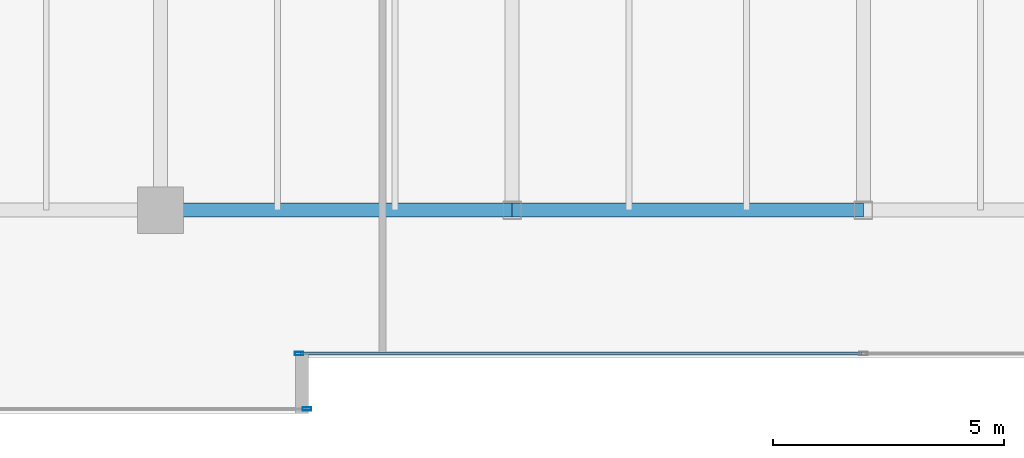
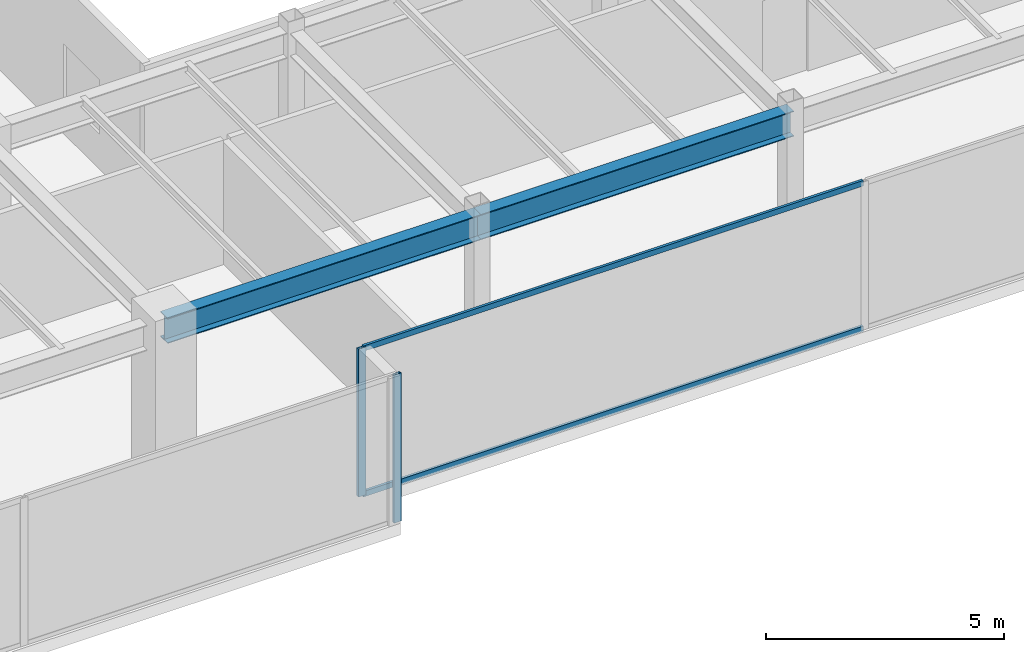
# One storey, part 7 of 33: 4 members, 2 beams, 2 elements without a shape of their own.
"""IFC4 building model written with IfcOpenShell, lengths in metres."""

from ifc_helpers import new_model, si_unit, direction, frame, origin, origin_2d, place, context, subcontext, project, spatial, hollow_rectangle, i_section, extrude, source, transform, mapped, material, layer, layer_set, material_profile, profile_set, type_object, type_shapes, element, aggregate, save


model = new_model("IFC4")

# Units and contexts
model_context = context("Model", 3, precision=1e-05, world=origin(), true_north=direction((0.0, 1.0)))
body_context = subcontext(model_context, "Body", "Model", "MODEL_VIEW")
ifc_project = project(units=[si_unit("LENGTHUNIT", "METRE"), si_unit("AREAUNIT", "SQUARE_METRE"), si_unit("VOLUMEUNIT", "CUBIC_METRE"), si_unit("PLANEANGLEUNIT", "RADIAN"), si_unit("MASSUNIT", "GRAM", prefix="KILO")], contexts=[model_context])

# Site, building, storey
site_placement = place(None, origin())
site = spatial("IfcSite", under=ifc_project, at=site_placement, CompositionType="ELEMENT")
building_placement = place(site_placement, origin())
building = spatial("IfcBuilding", under=site, at=building_placement, Name="Haelvirn Gate Laboratories", CompositionType="ELEMENT")
storey_placement = place(building_placement, frame((0.0, 0.0, 275.199951171875)))
storey = spatial("IfcBuildingStorey", under=building, at=storey_placement, Name="L66", CompositionType="ELEMENT", Elevation=275.199951171875)

# Beams
ifc_material_1 = material(Name="Steel SM355", Category="steel")
ifc_material_profile_1 = material_profile(ifc_material_1, i_section(OverallWidth=0.300048828125, OverallDepth=0.64990234375, WebThickness=0.012939453125, FlangeThickness=0.02197265625, at=origin_2d()), Name="H-650x300x13x22")
ifc_profile_set_1 = profile_set([ifc_material_profile_1], Name="Steel SM355")
beam_type = type_object("IfcBeamType", Name="BM-G-650", PredefinedType="BEAM", material=ifc_profile_set_1)
shared_shape_1 = source(origin(), body_context, "Body", "SweptSolid", [
    extrude(i_section(OverallWidth=0.300048828125, OverallDepth=0.64990234375, WebThickness=0.012939453125, FlangeThickness=0.02197265625, at=origin_2d()), origin(), (0.0, 0.0, 1.0), 7.60009765625),
])
beam_1_placement = place(storey_placement, frame((22.199951171875, 7.0, 3.47509765625), z_axis=(1.0, 0.0, 0.0), x_axis=(0.0, 1.0, 0.0)))
element("IfcBeam", 1, at=beam_1_placement, inside=storey, type_object=beam_type, Name="L66 Primary Girder Y7.0 (22.2-29.8)", PredefinedType="BEAM", context=body_context, shape_type="MappedRepresentation", body=[
    mapped(shared_shape_1, transform((0.0, 0.0, 0.0), scale=1.0)),
])
shared_shape_2 = source(origin(), body_context, "Body", "SweptSolid", [
    extrude(i_section(OverallWidth=0.300048828125, OverallDepth=0.64990234375, WebThickness=0.012939453125, FlangeThickness=0.02197265625, at=origin_2d()), origin(), (0.0, 0.0, 1.0), 7.599853515625),
])
type_shapes(beam_type, [shared_shape_1, shared_shape_2])
beam_2_placement = place(storey_placement, frame((29.800048828125, 7.0, 3.47509765625), z_axis=(1.0, 0.0, 0.0), x_axis=(0.0, 1.0, 0.0)))
element("IfcBeam", 2, at=beam_2_placement, inside=storey, type_object=beam_type, Name="L66 Primary Girder Y7.0 (29.8-37.4)", PredefinedType="BEAM", context=body_context, shape_type="MappedRepresentation", body=[
    mapped(shared_shape_2, transform((0.0, 0.0, 0.0), scale=1.0)),
])

# Curtain wall, members
ifc_material_2 = material(Name="Anodised bronze unitised aluminium & triple low-E glass", Category="aluminium")
ifc_layer = layer(ifc_material_2, 0.176025390625, Name="CW-SYS-4")
ifc_layer_set = layer_set([ifc_layer], Name="Anodised bronze unitised aluminium & triple low-E glass")
curtain_wall_type = type_object("IfcCurtainWallType", Name="CW-SYS-4", PredefinedType="NOTDEFINED", material=ifc_layer_set)
curtain_wall_1_placement = place(storey_placement, origin())
curtain_wall_1 = element("IfcCurtainWall", 3, at=curtain_wall_1_placement, inside=storey, type_object=curtain_wall_type, Name="L66 Unitised Curtain Wall CW-L66-P0-E02-1", PredefinedType="NOTDEFINED")
ifc_material_3 = material(Name="Extruded aluminium 6063-T6 (anodised bronze)", Category="aluminium")
ifc_material_profile_2 = material_profile(ifc_material_3, hollow_rectangle(XDim=0.06494140625, YDim=0.139892578125, WallThickness=0.00390625, at=origin_2d()), Name="CWT-140x65x4")
ifc_profile_set_2 = profile_set([ifc_material_profile_2], Name="Extruded aluminium 6063-T6 (anodised bronze)")
member_type_1 = type_object("IfcMemberType", Name="CWT-T140", PredefinedType="USERDEFINED", material=ifc_profile_set_2)
shared_shape_3 = source(origin(), body_context, "Body", "SweptSolid", [
    extrude(hollow_rectangle(XDim=0.06494140625, YDim=0.139892578125, WallThickness=0.00390625, at=origin_2d()), origin(), (0.0, 0.0, 1.0), 12.135009765625),
])
type_shapes(member_type_1, [shared_shape_3])
member_1_placement = place(storey_placement, frame((25.22998046875, 3.89990234375, 0.032470703125), z_axis=(1.0, 0.0, 0.0), x_axis=(0.0, 1.0, 0.0)))
member_1 = element("IfcMember", 4, at=member_1_placement, type_object=member_type_1, Name="CW4 transom 1.1", ObjectType="TRANSOM", PredefinedType="USERDEFINED", context=body_context, shape_type="MappedRepresentation", body=[
    mapped(shared_shape_3, transform((0.0, 0.0, 0.0), scale=1.0)),
])
member_2_placement = place(storey_placement, frame((25.22998046875, 3.89990234375, 3.767578125), z_axis=(1.0, 0.0, 0.0), x_axis=(0.0, 1.0, 0.0)))
member_2 = element("IfcMember", 5, at=member_2_placement, type_object=member_type_1, Name="CW4 transom 1.2", ObjectType="TRANSOM", PredefinedType="USERDEFINED", context=body_context, shape_type="MappedRepresentation", body=[
    mapped(shared_shape_3, transform((0.0, 0.0, 0.0), scale=1.0)),
])

# Curtain wall, member
curtain_wall_2_placement = place(storey_placement, origin())
curtain_wall_2 = element("IfcCurtainWall", 6, at=curtain_wall_2_placement, inside=storey, type_object=curtain_wall_type, Name="L66 Unitised Curtain Wall CW-L66-P0-E00-1", PredefinedType="NOTDEFINED")
ifc_material_profile_3 = material_profile(ifc_material_3, hollow_rectangle(XDim=0.070068359375, YDim=0.179931640625, WallThickness=0.0048828125, at=origin_2d()), Name="CWM-180x70x5")
ifc_profile_set_3 = profile_set([ifc_material_profile_3], Name="Extruded aluminium 6063-T6 (anodised bronze)")
member_type_2 = type_object("IfcMemberType", Name="CWM-T180", PredefinedType="MULLION", material=ifc_profile_set_3)
shared_shape_4 = source(origin(), body_context, "Body", "SweptSolid", [
    extrude(hollow_rectangle(XDim=0.070068359375, YDim=0.179931640625, WallThickness=0.0048828125, at=origin_2d()), origin(), (0.0, 0.0, 1.0), 3.800048828125),
])
type_shapes(member_type_2, [shared_shape_4])
member_3_placement = place(storey_placement, frame((25.364990234375, 2.699951171875, 0.0), z_axis=(0.0, 0.0, 1.0), x_axis=(0.0, 1.0, 0.0)))
member_3 = element("IfcMember", 7, at=member_3_placement, type_object=member_type_2, Name="CW4 mullion 3", PredefinedType="MULLION", context=body_context, shape_type="MappedRepresentation", body=[
    mapped(shared_shape_4, transform((0.0, 0.0, 0.0), scale=1.0)),
])
aggregate(curtain_wall_2, [member_3])

# Member
member_4_placement = place(storey_placement, frame((25.195068359375, 3.89990234375, 0.0), z_axis=(0.0, 0.0, 1.0), x_axis=(0.0, 1.0, 0.0)))
member_4 = element("IfcMember", 8, at=member_4_placement, type_object=member_type_2, Name="CW4 mullion 1", PredefinedType="MULLION", context=body_context, shape_type="MappedRepresentation", body=[
    mapped(shared_shape_4, transform((0.0, 0.0, 0.0), scale=1.0)),
])

aggregate(curtain_wall_1, [member_4, member_1, member_2])

save(model, "model.ifc")
